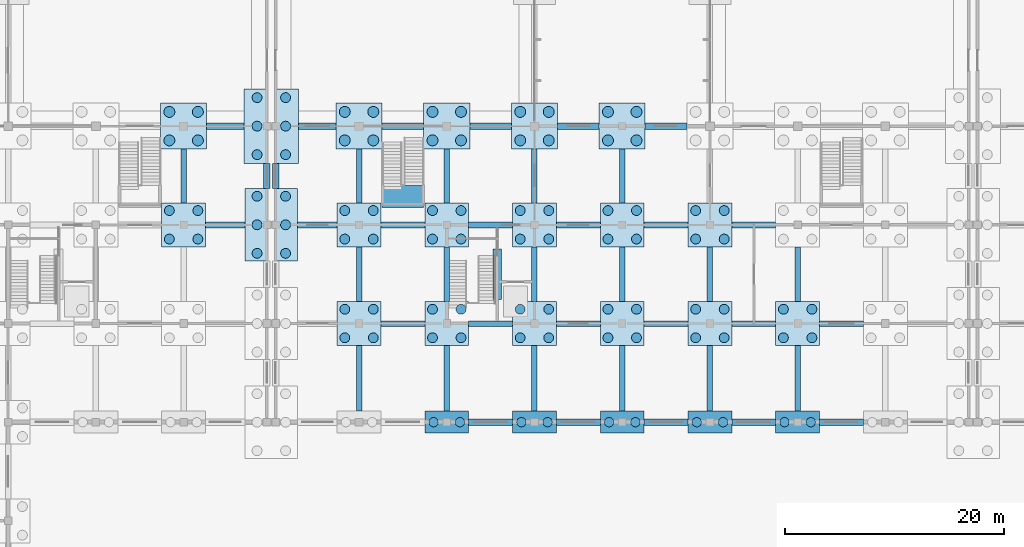
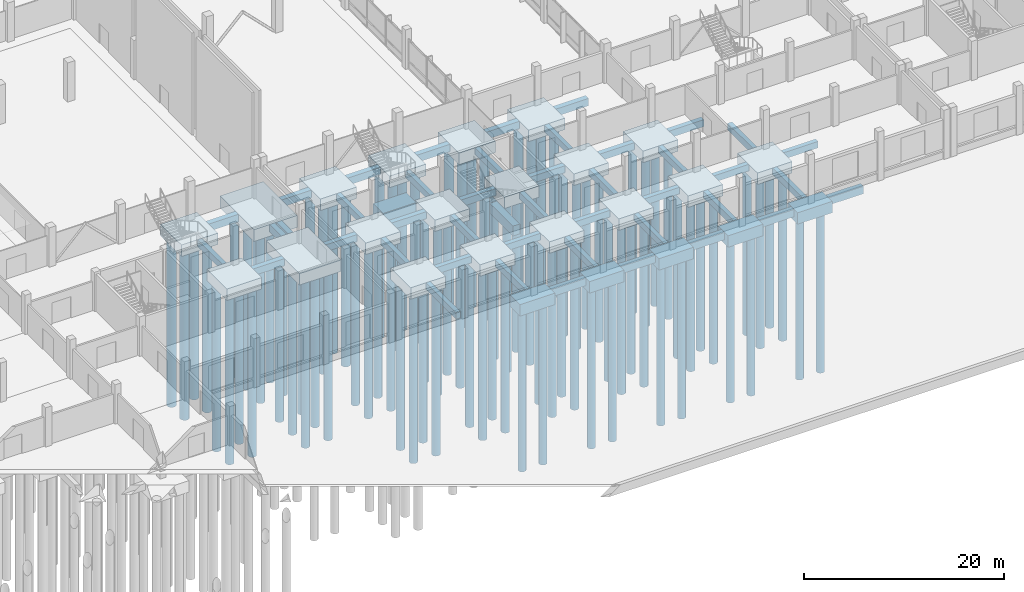
# One storey, part 3 of 72: 90 piles, 69 footings.
"""IFC4 building model written with IfcOpenShell, lengths in metres."""

from ifc_helpers import new_model, si_unit, direction, frame, origin, origin_2d, place, context, subcontext, project, spatial, rectangle, circle, extrude, material, material_profile, profile_set, type_object, element, save


model = new_model("IFC4")

# Units and contexts
model_context = context("Model", 3, precision=1e-05, world=origin(), true_north=direction((0.0, 1.0)))
body_context = subcontext(model_context, "Body", "Model", "MODEL_VIEW")
ifc_project = project(units=[si_unit("LENGTHUNIT", "METRE"), si_unit("AREAUNIT", "SQUARE_METRE"), si_unit("VOLUMEUNIT", "CUBIC_METRE"), si_unit("PLANEANGLEUNIT", "RADIAN"), si_unit("MASSUNIT", "GRAM", prefix="KILO"), si_unit("THERMODYNAMICTEMPERATUREUNIT", "KELVIN"), si_unit("POWERUNIT", "WATT")], contexts=[model_context])

# Site, building, storey
site_placement = place(None, origin())
site = spatial("IfcSite", under=ifc_project, at=site_placement, CompositionType="ELEMENT")
building_placement = place(site_placement, origin())
building = spatial("IfcBuilding", under=site, at=building_placement, Name="Kronsvod Quay Wholesale Market", CompositionType="ELEMENT")
storey_placement = place(building_placement, origin())
storey = spatial("IfcBuildingStorey", under=building, at=storey_placement, Name="L00", CompositionType="ELEMENT", Elevation=0.0)

# Footings
ifc_material_1 = material(Name="Concrete C35/45", Category="concrete")
footing_type_1 = type_object("IfcFootingType", Name="Cap_PC2B", PredefinedType="PILE_CAP", material=ifc_material_1)
for number, where, z_axis, x_axis, name in (
    (1, (80.0, 27.0, -2.64990234375), (0.0, 0.0, 1.0), (1.0, 0.0, 0.0), "CAP-127"),
    (2, (88.0, 27.0, -2.64990234375), (0.0, 0.0, 1.0), (1.0, 0.0, 0.0), "CAP-137"),
    (3, (96.0, 27.0, -2.64990234375), (0.0, 0.0, 1.0), (1.0, 0.0, 0.0), "CAP-148"),
    (4, (104.0, 27.0, -2.64990234375), (0.0, 0.0, 1.0), (1.0, 0.0, 0.0), "CAP-157"),
    (5, (112.0, 27.0, -2.64990234375), (0.0, 0.0, 1.0), (1.0, 0.0, 0.0), "CAP-168"),
):
    element("IfcFooting", number, at=place(storey_placement, frame(where, z_axis=z_axis, x_axis=x_axis)), inside=storey, type_object=footing_type_1, Name=name, PredefinedType="PILE_CAP", context=body_context, shape_type="SweptSolid", body=[
        extrude(rectangle(XDim=4.0, YDim=2.0, at=origin_2d()), origin(), (0.0, 0.0, 1.0), 1.39990234375),
    ])
ifc_material_2 = material(Name="Concrete C35/45", Category="concrete")
footing_type_2 = type_object("IfcFootingType", Name="Cap_PC4A", PredefinedType="PILE_CAP", material=ifc_material_2)
for number, where, z_axis, x_axis, name in (
    (6, (56.0, 45.0, -2.64990234375), (0.0, 0.0, 1.0), (1.0, 0.0, 0.0), "CAP-109"),
    (7, (72.0, 36.0, -2.64990234375), (0.0, 0.0, 1.0), (1.0, 0.0, 0.0), "CAP-118"),
    (8, (72.0, 45.0, -2.64990234375), (0.0, 0.0, 1.0), (1.0, 0.0, 0.0), "CAP-119"),
    (9, (80.0, 36.0, -2.64990234375), (0.0, 0.0, 1.0), (1.0, 0.0, 0.0), "CAP-128"),
    (10, (80.0, 45.0, -2.64990234375), (0.0, 0.0, 1.0), (1.0, 0.0, 0.0), "CAP-129"),
    (11, (88.0, 36.0, -2.64990234375), (0.0, 0.0, 1.0), (1.0, 0.0, 0.0), "CAP-138"),
    (12, (88.0, 45.0, -2.64990234375), (0.0, 0.0, 1.0), (1.0, 0.0, 0.0), "CAP-139"),
    (13, (96.0, 36.0, -2.64990234375), (0.0, 0.0, 1.0), (1.0, 0.0, 0.0), "CAP-149"),
    (14, (96.0, 45.0, -2.64990234375), (0.0, 0.0, 1.0), (1.0, 0.0, 0.0), "CAP-150"),
    (15, (104.0, 36.0, -2.64990234375), (0.0, 0.0, 1.0), (1.0, 0.0, 0.0), "CAP-158"),
    (16, (104.0, 45.0, -2.64990234375), (0.0, 0.0, 1.0), (1.0, 0.0, 0.0), "CAP-159"),
    (17, (112.0, 36.0, -2.64990234375), (0.0, 0.0, 1.0), (1.0, 0.0, 0.0), "CAP-169"),
):
    element("IfcFooting", number, at=place(storey_placement, frame(where, z_axis=z_axis, x_axis=x_axis)), inside=storey, type_object=footing_type_2, Name=name, PredefinedType="PILE_CAP", context=body_context, shape_type="SweptSolid", body=[
        extrude(rectangle(XDim=4.0, YDim=4.0, at=origin_2d()), origin(), (0.0, 0.0, 1.0), 1.39990234375),
    ])
ifc_material_3 = material(Name="Concrete C35/45", Category="concrete")
footing_type_3 = type_object("IfcFootingType", Name="Cap_PC4B", PredefinedType="PILE_CAP", material=ifc_material_3)
for number, where, z_axis, x_axis, name in (
    (18, (56.0, 54.0, -2.64990234375), (0.0, 0.0, 1.0), (1.0, 0.0, 0.0), "CAP-110"),
    (19, (72.0, 54.0, -2.64990234375), (0.0, 0.0, 1.0), (1.0, 0.0, 0.0), "CAP-120"),
    (20, (80.0, 54.0, -2.64990234375), (0.0, 0.0, 1.0), (1.0, 0.0, 0.0), "CAP-130"),
    (21, (88.0, 54.0, -2.64990234375), (0.0, 0.0, 1.0), (1.0, 0.0, 0.0), "CAP-140"),
    (22, (96.0, 54.0, -2.64990234375), (0.0, 0.0, 1.0), (1.0, 0.0, 0.0), "CAP-151"),
):
    element("IfcFooting", number, at=place(storey_placement, frame(where, z_axis=z_axis, x_axis=x_axis)), inside=storey, type_object=footing_type_3, Name=name, PredefinedType="PILE_CAP", context=body_context, shape_type="SweptSolid", body=[
        extrude(rectangle(XDim=4.199951171875, YDim=4.199951171875, at=origin_2d()), origin(), (0.0, 0.0, 1.0), 1.39990234375),
    ])
ifc_material_4 = material(Name="Concrete C35/45", Category="concrete")
footing_type_4 = type_object("IfcFootingType", Name="Cap_PC6H", PredefinedType="PILE_CAP", material=ifc_material_4)
footing_1_placement = place(storey_placement, frame((64.0, 54.0, -2.7001953125), z_axis=(0.0, 0.0, 1.0), x_axis=(1.0, 0.0, 0.0)))
element("IfcFooting", 23, at=footing_1_placement, inside=storey, type_object=footing_type_4, Name="CAP-J007", PredefinedType="PILE_CAP", context=body_context, shape_type="SweptSolid", body=[
    extrude(rectangle(XDim=5.0, YDim=6.800048828125, at=origin_2d()), origin(), (0.0, 0.0, 1.0), 1.449951171875),
])
ifc_material_5 = material(Name="Concrete C35/45", Category="concrete")
footing_type_5 = type_object("IfcFootingType", Name="Cap_PC6J", PredefinedType="PILE_CAP", material=ifc_material_5)
footing_2_placement = place(storey_placement, frame((64.0, 45.0, -2.64990234375), z_axis=(0.0, 0.0, 1.0), x_axis=(1.0, 0.0, 0.0)))
element("IfcFooting", 24, at=footing_2_placement, inside=storey, type_object=footing_type_5, Name="CAP-J005", PredefinedType="PILE_CAP", context=body_context, shape_type="SweptSolid", body=[
    extrude(rectangle(XDim=4.800048828125, YDim=6.60009765625, at=origin_2d()), origin(), (0.0, 0.0, 1.0), 1.39990234375),
])
ifc_material_6 = material(Name="Concrete C35/45", Category="concrete")
ifc_material_profile_1 = material_profile(ifc_material_6, rectangle(XDim=0.5, YDim=0.800048828125, at=origin_2d()), Name="FB-01")
ifc_profile_set_1 = profile_set([ifc_material_profile_1], Name="Concrete C35/45")
footing_type_6 = type_object("IfcFootingType", Name="FootingBeam_500x800", PredefinedType="FOOTING_BEAM", material=ifc_profile_set_1)
footing_3_placement = place(storey_placement, frame((56.0, 47.0, -1.64990234375), z_axis=(0.0, 1.0, 0.0), x_axis=(-1.0, 0.0, 0.0)))
element("IfcFooting", 25, at=footing_3_placement, inside=storey, type_object=footing_type_6, Name="FB-Y-0175", PredefinedType="FOOTING_BEAM", context=body_context, shape_type="SweptSolid", body=[
    extrude(rectangle(XDim=0.5, YDim=0.800048828125, at=origin_2d()), origin(), (0.0, 0.0, 1.0), 4.89990234375),
])
for number, where, z_axis, x_axis, name in (
    (26, (74.0, 36.0, -1.64990234375), (1.0, 0.0, 0.0), (0.0, 1.0, 0.0), "FB-X-0198"),
    (27, (82.0, 36.0, -1.64990234375), (1.0, 0.0, 0.0), (0.0, 1.0, 0.0), "FB-X-0199"),
    (28, (90.0, 36.0, -1.64990234375), (1.0, 0.0, 0.0), (0.0, 1.0, 0.0), "FB-X-0200"),
    (29, (98.0, 36.0, -1.64990234375), (1.0, 0.0, 0.0), (0.0, 1.0, 0.0), "FB-X-0201"),
    (30, (106.0, 36.0, -1.64990234375), (1.0, 0.0, 0.0), (0.0, 1.0, 0.0), "FB-X-0202"),
    (31, (114.0, 36.0, -1.64990234375), (1.0, 0.0, 0.0), (0.0, 1.0, 0.0), "FB-X-0203"),
):
    element("IfcFooting", number, at=place(storey_placement, frame(where, z_axis=z_axis, x_axis=x_axis)), inside=storey, type_object=footing_type_6, Name=name, PredefinedType="FOOTING_BEAM", context=body_context, shape_type="SweptSolid", body=[
        extrude(rectangle(XDim=0.5, YDim=0.800048828125, at=origin_2d()), origin(), (0.0, 0.0, 1.0), 4.0),
    ])
footing_4_placement = place(storey_placement, frame((72.0, 28.0, -1.64990234375), z_axis=(0.0, 1.0, 0.0), x_axis=(-1.0, 0.0, 0.0)))
element("IfcFooting", 32, at=footing_4_placement, inside=storey, type_object=footing_type_6, Name="FB-Y-0275", PredefinedType="FOOTING_BEAM", context=body_context, shape_type="SweptSolid", body=[
    extrude(rectangle(XDim=0.5, YDim=0.800048828125, at=origin_2d()), origin(), (0.0, 0.0, 1.0), 6.0),
])
footing_5_placement = place(storey_placement, frame((72.0, 38.0, -1.64990234375), z_axis=(0.0, 1.0, 0.0), x_axis=(-1.0, 0.0, 0.0)))
element("IfcFooting", 33, at=footing_5_placement, inside=storey, type_object=footing_type_6, Name="FB-Y-0276", PredefinedType="FOOTING_BEAM", context=body_context, shape_type="SweptSolid", body=[
    extrude(rectangle(XDim=0.5, YDim=0.800048828125, at=origin_2d()), origin(), (0.0, 0.0, 1.0), 5.0),
])
footing_6_placement = place(storey_placement, frame((72.0, 47.0, -1.64990234375), z_axis=(0.0, 1.0, 0.0), x_axis=(-1.0, 0.0, 0.0)))
element("IfcFooting", 34, at=footing_6_placement, inside=storey, type_object=footing_type_6, Name="FB-Y-0277", PredefinedType="FOOTING_BEAM", context=body_context, shape_type="SweptSolid", body=[
    extrude(rectangle(XDim=0.5, YDim=0.800048828125, at=origin_2d()), origin(), (0.0, 0.0, 1.0), 4.89990234375),
])
footing_7_placement = place(storey_placement, frame((80.0, 28.0, -1.64990234375), z_axis=(0.0, 1.0, 0.0), x_axis=(-1.0, 0.0, 0.0)))
element("IfcFooting", 35, at=footing_7_placement, inside=storey, type_object=footing_type_6, Name="FB-Y-0283", PredefinedType="FOOTING_BEAM", context=body_context, shape_type="SweptSolid", body=[
    extrude(rectangle(XDim=0.5, YDim=0.800048828125, at=origin_2d()), origin(), (0.0, 0.0, 1.0), 6.0),
])
footing_8_placement = place(storey_placement, frame((80.0, 38.0, -1.64990234375), z_axis=(0.0, 1.0, 0.0), x_axis=(-1.0, 0.0, 0.0)))
element("IfcFooting", 36, at=footing_8_placement, inside=storey, type_object=footing_type_6, Name="FB-Y-0284", PredefinedType="FOOTING_BEAM", context=body_context, shape_type="SweptSolid", body=[
    extrude(rectangle(XDim=0.5, YDim=0.800048828125, at=origin_2d()), origin(), (0.0, 0.0, 1.0), 5.0),
])
footing_9_placement = place(storey_placement, frame((80.0, 47.0, -1.64990234375), z_axis=(0.0, 1.0, 0.0), x_axis=(-1.0, 0.0, 0.0)))
element("IfcFooting", 37, at=footing_9_placement, inside=storey, type_object=footing_type_6, Name="FB-Y-0285", PredefinedType="FOOTING_BEAM", context=body_context, shape_type="SweptSolid", body=[
    extrude(rectangle(XDim=0.5, YDim=0.800048828125, at=origin_2d()), origin(), (0.0, 0.0, 1.0), 4.89990234375),
])
footing_10_placement = place(storey_placement, frame((88.0, 28.0, -1.64990234375), z_axis=(0.0, 1.0, 0.0), x_axis=(-1.0, 0.0, 0.0)))
element("IfcFooting", 38, at=footing_10_placement, inside=storey, type_object=footing_type_6, Name="FB-Y-0291", PredefinedType="FOOTING_BEAM", context=body_context, shape_type="SweptSolid", body=[
    extrude(rectangle(XDim=0.5, YDim=0.800048828125, at=origin_2d()), origin(), (0.0, 0.0, 1.0), 6.0),
])
footing_11_placement = place(storey_placement, frame((88.0, 38.0, -1.64990234375), z_axis=(0.0, 1.0, 0.0), x_axis=(-1.0, 0.0, 0.0)))
element("IfcFooting", 39, at=footing_11_placement, inside=storey, type_object=footing_type_6, Name="FB-Y-0292", PredefinedType="FOOTING_BEAM", context=body_context, shape_type="SweptSolid", body=[
    extrude(rectangle(XDim=0.5, YDim=0.800048828125, at=origin_2d()), origin(), (0.0, 0.0, 1.0), 5.0),
])
footing_12_placement = place(storey_placement, frame((88.0, 47.0, -1.64990234375), z_axis=(0.0, 1.0, 0.0), x_axis=(-1.0, 0.0, 0.0)))
element("IfcFooting", 40, at=footing_12_placement, inside=storey, type_object=footing_type_6, Name="FB-Y-0293", PredefinedType="FOOTING_BEAM", context=body_context, shape_type="SweptSolid", body=[
    extrude(rectangle(XDim=0.5, YDim=0.800048828125, at=origin_2d()), origin(), (0.0, 0.0, 1.0), 4.89990234375),
])
footing_13_placement = place(storey_placement, frame((96.0, 28.0, -1.64990234375), z_axis=(0.0, 1.0, 0.0), x_axis=(-1.0, 0.0, 0.0)))
element("IfcFooting", 41, at=footing_13_placement, inside=storey, type_object=footing_type_6, Name="FB-Y-0301", PredefinedType="FOOTING_BEAM", context=body_context, shape_type="SweptSolid", body=[
    extrude(rectangle(XDim=0.5, YDim=0.800048828125, at=origin_2d()), origin(), (0.0, 0.0, 1.0), 6.0),
])
footing_14_placement = place(storey_placement, frame((96.0, 38.0, -1.64990234375), z_axis=(0.0, 1.0, 0.0), x_axis=(-1.0, 0.0, 0.0)))
element("IfcFooting", 42, at=footing_14_placement, inside=storey, type_object=footing_type_6, Name="FB-Y-0302", PredefinedType="FOOTING_BEAM", context=body_context, shape_type="SweptSolid", body=[
    extrude(rectangle(XDim=0.5, YDim=0.800048828125, at=origin_2d()), origin(), (0.0, 0.0, 1.0), 5.0),
])
footing_15_placement = place(storey_placement, frame((96.0, 47.0, -1.64990234375), z_axis=(0.0, 1.0, 0.0), x_axis=(-1.0, 0.0, 0.0)))
element("IfcFooting", 43, at=footing_15_placement, inside=storey, type_object=footing_type_6, Name="FB-Y-0303", PredefinedType="FOOTING_BEAM", context=body_context, shape_type="SweptSolid", body=[
    extrude(rectangle(XDim=0.5, YDim=0.800048828125, at=origin_2d()), origin(), (0.0, 0.0, 1.0), 4.89990234375),
])
footing_16_placement = place(storey_placement, frame((104.0, 28.0, -1.64990234375), z_axis=(0.0, 1.0, 0.0), x_axis=(-1.0, 0.0, 0.0)))
element("IfcFooting", 44, at=footing_16_placement, inside=storey, type_object=footing_type_6, Name="FB-Y-0308", PredefinedType="FOOTING_BEAM", context=body_context, shape_type="SweptSolid", body=[
    extrude(rectangle(XDim=0.5, YDim=0.800048828125, at=origin_2d()), origin(), (0.0, 0.0, 1.0), 6.0),
])
footing_17_placement = place(storey_placement, frame((104.0, 38.0, -1.64990234375), z_axis=(0.0, 1.0, 0.0), x_axis=(-1.0, 0.0, 0.0)))
element("IfcFooting", 45, at=footing_17_placement, inside=storey, type_object=footing_type_6, Name="FB-Y-0309", PredefinedType="FOOTING_BEAM", context=body_context, shape_type="SweptSolid", body=[
    extrude(rectangle(XDim=0.5, YDim=0.800048828125, at=origin_2d()), origin(), (0.0, 0.0, 1.0), 5.0),
])
footing_18_placement = place(storey_placement, frame((112.0, 28.0, -1.64990234375), z_axis=(0.0, 1.0, 0.0), x_axis=(-1.0, 0.0, 0.0)))
element("IfcFooting", 46, at=footing_18_placement, inside=storey, type_object=footing_type_6, Name="FB-Y-0318", PredefinedType="FOOTING_BEAM", context=body_context, shape_type="SweptSolid", body=[
    extrude(rectangle(XDim=0.5, YDim=0.800048828125, at=origin_2d()), origin(), (0.0, 0.0, 1.0), 6.0),
])
footing_19_placement = place(storey_placement, frame((112.0, 38.0, -1.64990234375), z_axis=(0.0, 1.0, 0.0), x_axis=(-1.0, 0.0, 0.0)))
element("IfcFooting", 47, at=footing_19_placement, inside=storey, type_object=footing_type_6, Name="FB-Y-0319", PredefinedType="FOOTING_BEAM", context=body_context, shape_type="SweptSolid", body=[
    extrude(rectangle(XDim=0.5, YDim=0.800048828125, at=origin_2d()), origin(), (0.0, 0.0, 1.0), 5.0),
])
ifc_material_7 = material(Name="Concrete C35/45", Category="concrete")
ifc_material_profile_2 = material_profile(ifc_material_7, rectangle(XDim=0.550048828125, YDim=0.85009765625, at=origin_2d()), Name="FB-03")
ifc_profile_set_2 = profile_set([ifc_material_profile_2], Name="Concrete C35/45")
footing_type_7 = type_object("IfcFootingType", Name="FootingBeam_550x850", PredefinedType="FOOTING_BEAM", material=ifc_profile_set_2)
for number, where, z_axis, x_axis, name in (
    (48, (58.0, 45.0, -1.675048828125), (1.0, 0.0, 0.0), (0.0, 1.0, 0.0), "FB-X-0039"),
    (49, (66.39990234375, 45.0, -1.675048828125), (1.0, 0.0, 0.0), (0.0, 1.0, 0.0), "FB-X-0205"),
):
    element("IfcFooting", number, at=place(storey_placement, frame(where, z_axis=z_axis, x_axis=x_axis)), inside=storey, type_object=footing_type_7, Name=name, PredefinedType="FOOTING_BEAM", context=body_context, shape_type="SweptSolid", body=[
        extrude(rectangle(XDim=0.550048828125, YDim=0.85009765625, at=origin_2d()), origin(), (0.0, 0.0, 1.0), 3.60009765625),
    ])
for number, where, z_axis, x_axis, name in (
    (50, (74.0, 45.0, -1.675048828125), (1.0, 0.0, 0.0), (0.0, 1.0, 0.0), "FB-X-0206"),
    (51, (82.0, 45.0, -1.675048828125), (1.0, 0.0, 0.0), (0.0, 1.0, 0.0), "FB-X-0207"),
    (52, (90.0, 45.0, -1.675048828125), (1.0, 0.0, 0.0), (0.0, 1.0, 0.0), "FB-X-0208"),
    (53, (98.0, 45.0, -1.675048828125), (1.0, 0.0, 0.0), (0.0, 1.0, 0.0), "FB-X-0209"),
    (54, (106.0, 45.0, -1.675048828125), (1.0, 0.0, 0.0), (0.0, 1.0, 0.0), "FB-X-0210"),
):
    element("IfcFooting", number, at=place(storey_placement, frame(where, z_axis=z_axis, x_axis=x_axis)), inside=storey, type_object=footing_type_7, Name=name, PredefinedType="FOOTING_BEAM", context=body_context, shape_type="SweptSolid", body=[
        extrude(rectangle(XDim=0.550048828125, YDim=0.85009765625, at=origin_2d()), origin(), (0.0, 0.0, 1.0), 4.0),
    ])
ifc_material_8 = material(Name="Concrete C35/45", Category="concrete")
ifc_material_profile_3 = material_profile(ifc_material_8, rectangle(XDim=0.60009765625, YDim=0.89990234375, at=origin_2d()), Name="FB-02")
ifc_profile_set_3 = profile_set([ifc_material_profile_3], Name="Concrete C35/45")
footing_type_8 = type_object("IfcFootingType", Name="FootingBeam_600x900", PredefinedType="FOOTING_BEAM", material=ifc_profile_set_3)
footing_20_placement = place(storey_placement, frame((58.10009765625, 54.0, -1.699951171875), z_axis=(1.0, 0.0, 0.0), x_axis=(0.0, 1.0, 0.0)))
element("IfcFooting", 55, at=footing_20_placement, inside=storey, type_object=footing_type_8, Name="FB-X-0047", PredefinedType="FOOTING_BEAM", context=body_context, shape_type="SweptSolid", body=[
    extrude(rectangle(XDim=0.60009765625, YDim=0.89990234375, at=origin_2d()), origin(), (0.0, 0.0, 1.0), 3.39990234375),
])
footing_21_placement = place(storey_placement, frame((63.60009765625, 48.300048828125, -1.699951171875), z_axis=(0.0, 1.0, 0.0), x_axis=(-1.0, 0.0, 0.0)))
element("IfcFooting", 56, at=footing_21_placement, inside=storey, type_object=footing_type_8, Name="FB-Y-0183", PredefinedType="FOOTING_BEAM", context=body_context, shape_type="SweptSolid", body=[
    extrude(rectangle(XDim=0.60009765625, YDim=0.89990234375, at=origin_2d()), origin(), (0.0, 0.0, 1.0), 2.300048828125),
])
for number, where, z_axis, x_axis, name in (
    (57, (82.0, 27.0, -1.699951171875), (1.0, 0.0, 0.0), (0.0, 1.0, 0.0), "FB-X-0191"),
    (58, (90.0, 27.0, -1.699951171875), (1.0, 0.0, 0.0), (0.0, 1.0, 0.0), "FB-X-0192"),
    (59, (98.0, 27.0, -1.699951171875), (1.0, 0.0, 0.0), (0.0, 1.0, 0.0), "FB-X-0193"),
    (60, (106.0, 27.0, -1.699951171875), (1.0, 0.0, 0.0), (0.0, 1.0, 0.0), "FB-X-0194"),
    (61, (114.0, 27.0, -1.699951171875), (1.0, 0.0, 0.0), (0.0, 1.0, 0.0), "FB-X-0195"),
):
    element("IfcFooting", number, at=place(storey_placement, frame(where, z_axis=z_axis, x_axis=x_axis)), inside=storey, type_object=footing_type_8, Name=name, PredefinedType="FOOTING_BEAM", context=body_context, shape_type="SweptSolid", body=[
        extrude(rectangle(XDim=0.60009765625, YDim=0.89990234375, at=origin_2d()), origin(), (0.0, 0.0, 1.0), 4.0),
    ])
footing_22_placement = place(storey_placement, frame((66.5, 54.0, -1.699951171875), z_axis=(1.0, 0.0, 0.0), x_axis=(0.0, 1.0, 0.0)))
element("IfcFooting", 62, at=footing_22_placement, inside=storey, type_object=footing_type_8, Name="FB-X-0213", PredefinedType="FOOTING_BEAM", context=body_context, shape_type="SweptSolid", body=[
    extrude(rectangle(XDim=0.60009765625, YDim=0.89990234375, at=origin_2d()), origin(), (0.0, 0.0, 1.0), 3.39990234375),
])
for number, where, z_axis, x_axis, name in (
    (63, (74.10009765625, 54.0, -1.699951171875), (1.0, 0.0, 0.0), (0.0, 1.0, 0.0), "FB-X-0214"),
    (64, (82.10009765625, 54.0, -1.699951171875), (1.0, 0.0, 0.0), (0.0, 1.0, 0.0), "FB-X-0215"),
    (65, (90.10009765625, 54.0, -1.699951171875), (1.0, 0.0, 0.0), (0.0, 1.0, 0.0), "FB-X-0216"),
    (66, (98.10009765625, 54.0, -1.699951171875), (1.0, 0.0, 0.0), (0.0, 1.0, 0.0), "FB-X-0217"),
):
    element("IfcFooting", number, at=place(storey_placement, frame(where, z_axis=z_axis, x_axis=x_axis)), inside=storey, type_object=footing_type_8, Name=name, PredefinedType="FOOTING_BEAM", context=body_context, shape_type="SweptSolid", body=[
        extrude(rectangle(XDim=0.60009765625, YDim=0.89990234375, at=origin_2d()), origin(), (0.0, 0.0, 1.0), 3.7998046875),
    ])
footing_23_placement = place(storey_placement, frame((64.39990234375, 48.300048828125, -1.699951171875), z_axis=(0.0, 1.0, 0.0), x_axis=(-1.0, 0.0, 0.0)))
element("IfcFooting", 67, at=footing_23_placement, inside=storey, type_object=footing_type_8, Name="FB-Y-0269", PredefinedType="FOOTING_BEAM", context=body_context, shape_type="SweptSolid", body=[
    extrude(rectangle(XDim=0.60009765625, YDim=0.89990234375, at=origin_2d()), origin(), (0.0, 0.0, 1.0), 2.300048828125),
])
ifc_material_9 = material(Name="Concrete C35/45", Category="concrete")
footing_type_9 = type_object("IfcFootingType", Name="Pad_PF2", PredefinedType="PAD_FOOTING", material=ifc_material_9)
footing_24_placement = place(storey_placement, frame((76.0, 47.60009765625, -2.7001953125), z_axis=(0.0, 0.0, 1.0), x_axis=(1.0, 0.0, 0.0)))
element("IfcFooting", 68, at=footing_24_placement, inside=storey, type_object=footing_type_9, Name="ST-GAL-W2-FND", PredefinedType="PAD_FOOTING", context=body_context, shape_type="SweptSolid", body=[
    extrude(rectangle(XDim=3.800048828125, YDim=2.0, at=origin_2d()), origin(), (0.0, 0.0, 1.0), 1.449951171875),
])

# Piles
ifc_material_10 = material(Name="Concrete C35/45", Category="concrete")
ifc_material_profile_4 = material_profile(ifc_material_10, circle(Radius=0.5, at=origin_2d()), Name="PILE1000")
ifc_profile_set_4 = profile_set([ifc_material_profile_4], Name="Concrete C35/45")
pile_type_1 = type_object("IfcPileType", Name="Pile_PILE1000", PredefinedType="BORED", material=ifc_profile_set_4)
for number, where, z_axis, x_axis, name in (
    (69, (54.699951171875, 52.699951171875, -2.64990234375), (0.0, 0.0, -1.0), (1.0, 0.0, 0.0), "PILE-0443"),
    (70, (54.699951171875, 55.300048828125, -2.64990234375), (0.0, 0.0, -1.0), (1.0, 0.0, 0.0), "PILE-0444"),
    (71, (57.300048828125, 52.699951171875, -2.64990234375), (0.0, 0.0, -1.0), (1.0, 0.0, 0.0), "PILE-0445"),
    (72, (57.300048828125, 55.300048828125, -2.64990234375), (0.0, 0.0, -1.0), (1.0, 0.0, 0.0), "PILE-0446"),
    (73, (70.699951171875, 52.699951171875, -2.64990234375), (0.0, 0.0, -1.0), (1.0, 0.0, 0.0), "PILE-0481"),
    (74, (70.699951171875, 55.300048828125, -2.64990234375), (0.0, 0.0, -1.0), (1.0, 0.0, 0.0), "PILE-0482"),
    (75, (73.300048828125, 52.699951171875, -2.64990234375), (0.0, 0.0, -1.0), (1.0, 0.0, 0.0), "PILE-0483"),
    (76, (73.300048828125, 55.300048828125, -2.64990234375), (0.0, 0.0, -1.0), (1.0, 0.0, 0.0), "PILE-0484"),
    (77, (78.699951171875, 52.699951171875, -2.64990234375), (0.0, 0.0, -1.0), (1.0, 0.0, 0.0), "PILE-0519"),
    (78, (78.699951171875, 55.300048828125, -2.64990234375), (0.0, 0.0, -1.0), (1.0, 0.0, 0.0), "PILE-0520"),
    (79, (81.300048828125, 52.699951171875, -2.64990234375), (0.0, 0.0, -1.0), (1.0, 0.0, 0.0), "PILE-0521"),
    (80, (81.300048828125, 55.300048828125, -2.64990234375), (0.0, 0.0, -1.0), (1.0, 0.0, 0.0), "PILE-0522"),
    (81, (86.699951171875, 52.699951171875, -2.64990234375), (0.0, 0.0, -1.0), (1.0, 0.0, 0.0), "PILE-0557"),
    (82, (86.699951171875, 55.300048828125, -2.64990234375), (0.0, 0.0, -1.0), (1.0, 0.0, 0.0), "PILE-0558"),
    (83, (89.300048828125, 52.699951171875, -2.64990234375), (0.0, 0.0, -1.0), (1.0, 0.0, 0.0), "PILE-0559"),
    (84, (89.300048828125, 55.300048828125, -2.64990234375), (0.0, 0.0, -1.0), (1.0, 0.0, 0.0), "PILE-0560"),
    (85, (94.699951171875, 52.699951171875, -2.64990234375), (0.0, 0.0, -1.0), (1.0, 0.0, 0.0), "PILE-0597"),
    (86, (94.699951171875, 55.300048828125, -2.64990234375), (0.0, 0.0, -1.0), (1.0, 0.0, 0.0), "PILE-0598"),
    (87, (97.300048828125, 52.699951171875, -2.64990234375), (0.0, 0.0, -1.0), (1.0, 0.0, 0.0), "PILE-0599"),
    (88, (97.300048828125, 55.300048828125, -2.64990234375), (0.0, 0.0, -1.0), (1.0, 0.0, 0.0), "PILE-0600"),
):
    element("IfcPile", number, at=place(storey_placement, frame(where, z_axis=z_axis, x_axis=x_axis)), inside=storey, type_object=pile_type_1, Name=name, PredefinedType="BORED", context=body_context, shape_type="SweptSolid", body=[
        extrude(circle(Radius=0.5, at=origin_2d()), origin(), (0.0, 0.0, 1.0), 20.39990234375),
    ])
ifc_material_11 = material(Name="Concrete C35/45", Category="concrete")
ifc_material_profile_5 = material_profile(ifc_material_11, circle(Radius=0.425048828125, at=origin_2d()), Name="PILE850")
ifc_profile_set_5 = profile_set([ifc_material_profile_5], Name="Concrete C35/45")
pile_type_2 = type_object("IfcPileType", Name="Pile_PILE850", PredefinedType="BORED", material=ifc_profile_set_5)
for number, where, z_axis, x_axis, name in (
    (89, (78.800048828125, 27.0, -2.64990234375), (0.0, 0.0, -1.0), (1.0, 0.0, 0.0), "PILE-0509"),
    (90, (81.199951171875, 27.0, -2.64990234375), (0.0, 0.0, -1.0), (1.0, 0.0, 0.0), "PILE-0510"),
    (91, (86.800048828125, 27.0, -2.64990234375), (0.0, 0.0, -1.0), (1.0, 0.0, 0.0), "PILE-0547"),
    (92, (89.199951171875, 27.0, -2.64990234375), (0.0, 0.0, -1.0), (1.0, 0.0, 0.0), "PILE-0548"),
    (93, (94.800048828125, 27.0, -2.64990234375), (0.0, 0.0, -1.0), (1.0, 0.0, 0.0), "PILE-0587"),
    (94, (97.199951171875, 27.0, -2.64990234375), (0.0, 0.0, -1.0), (1.0, 0.0, 0.0), "PILE-0588"),
    (95, (102.800048828125, 27.0, -2.64990234375), (0.0, 0.0, -1.0), (1.0, 0.0, 0.0), "PILE-0621"),
    (96, (105.199951171875, 27.0, -2.64990234375), (0.0, 0.0, -1.0), (1.0, 0.0, 0.0), "PILE-0622"),
    (97, (110.800048828125, 27.0, -2.64990234375), (0.0, 0.0, -1.0), (1.0, 0.0, 0.0), "PILE-0661"),
    (98, (113.199951171875, 27.0, -2.64990234375), (0.0, 0.0, -1.0), (1.0, 0.0, 0.0), "PILE-0662"),
):
    element("IfcPile", number, at=place(storey_placement, frame(where, z_axis=z_axis, x_axis=x_axis)), inside=storey, type_object=pile_type_2, Name=name, PredefinedType="BORED", context=body_context, shape_type="SweptSolid", body=[
        extrude(circle(Radius=0.425048828125, at=origin_2d()), origin(), (0.0, 0.0, 1.0), 19.60009765625),
    ])
ifc_material_12 = material(Name="Concrete C35/45", Category="concrete")
ifc_material_profile_6 = material_profile(ifc_material_12, circle(Radius=0.449951171875, at=origin_2d()), Name="PILE900")
ifc_profile_set_6 = profile_set([ifc_material_profile_6], Name="Concrete C35/45")
pile_type_3 = type_object("IfcPileType", Name="Pile_PILE900", PredefinedType="BORED", material=ifc_profile_set_6)
for number, where, z_axis, x_axis, name in (
    (99, (62.699951171875, 42.39990234375, -2.64990234375), (0.0, 0.0, -1.0), (1.0, 0.0, 0.0), "PILE-0025"),
    (100, (62.699951171875, 45.0, -2.64990234375), (0.0, 0.0, -1.0), (1.0, 0.0, 0.0), "PILE-0026"),
    (101, (62.699951171875, 47.60009765625, -2.64990234375), (0.0, 0.0, -1.0), (1.0, 0.0, 0.0), "PILE-0027"),
    (102, (65.300048828125, 42.39990234375, -2.64990234375), (0.0, 0.0, -1.0), (1.0, 0.0, 0.0), "PILE-0028"),
    (103, (65.300048828125, 45.0, -2.64990234375), (0.0, 0.0, -1.0), (1.0, 0.0, 0.0), "PILE-0029"),
    (104, (65.300048828125, 47.60009765625, -2.64990234375), (0.0, 0.0, -1.0), (1.0, 0.0, 0.0), "PILE-0030"),
    (105, (62.699951171875, 51.39990234375, -2.64990234375), (0.0, 0.0, -1.0), (1.0, 0.0, 0.0), "PILE-0037"),
    (106, (62.699951171875, 54.0, -2.64990234375), (0.0, 0.0, -1.0), (1.0, 0.0, 0.0), "PILE-0038"),
    (107, (62.699951171875, 56.60009765625, -2.64990234375), (0.0, 0.0, -1.0), (1.0, 0.0, 0.0), "PILE-0039"),
    (108, (65.300048828125, 51.39990234375, -2.64990234375), (0.0, 0.0, -1.0), (1.0, 0.0, 0.0), "PILE-0040"),
    (109, (65.300048828125, 54.0, -2.64990234375), (0.0, 0.0, -1.0), (1.0, 0.0, 0.0), "PILE-0041"),
    (110, (65.300048828125, 56.60009765625, -2.64990234375), (0.0, 0.0, -1.0), (1.0, 0.0, 0.0), "PILE-0042"),
    (111, (54.699951171875, 43.699951171875, -2.64990234375), (0.0, 0.0, -1.0), (1.0, 0.0, 0.0), "PILE-0439"),
    (112, (54.699951171875, 46.300048828125, -2.64990234375), (0.0, 0.0, -1.0), (1.0, 0.0, 0.0), "PILE-0440"),
    (113, (57.300048828125, 43.699951171875, -2.64990234375), (0.0, 0.0, -1.0), (1.0, 0.0, 0.0), "PILE-0441"),
    (114, (57.300048828125, 46.300048828125, -2.64990234375), (0.0, 0.0, -1.0), (1.0, 0.0, 0.0), "PILE-0442"),
    (115, (70.699951171875, 34.699951171875, -2.64990234375), (0.0, 0.0, -1.0), (1.0, 0.0, 0.0), "PILE-0473"),
    (116, (70.699951171875, 37.300048828125, -2.64990234375), (0.0, 0.0, -1.0), (1.0, 0.0, 0.0), "PILE-0474"),
    (117, (73.300048828125, 34.699951171875, -2.64990234375), (0.0, 0.0, -1.0), (1.0, 0.0, 0.0), "PILE-0475"),
    (118, (73.300048828125, 37.300048828125, -2.64990234375), (0.0, 0.0, -1.0), (1.0, 0.0, 0.0), "PILE-0476"),
    (119, (70.699951171875, 43.699951171875, -2.64990234375), (0.0, 0.0, -1.0), (1.0, 0.0, 0.0), "PILE-0477"),
    (120, (70.699951171875, 46.300048828125, -2.64990234375), (0.0, 0.0, -1.0), (1.0, 0.0, 0.0), "PILE-0478"),
    (121, (73.300048828125, 43.699951171875, -2.64990234375), (0.0, 0.0, -1.0), (1.0, 0.0, 0.0), "PILE-0479"),
    (122, (73.300048828125, 46.300048828125, -2.64990234375), (0.0, 0.0, -1.0), (1.0, 0.0, 0.0), "PILE-0480"),
    (123, (78.699951171875, 34.699951171875, -2.64990234375), (0.0, 0.0, -1.0), (1.0, 0.0, 0.0), "PILE-0511"),
    (124, (78.699951171875, 37.300048828125, -2.64990234375), (0.0, 0.0, -1.0), (1.0, 0.0, 0.0), "PILE-0512"),
    (125, (81.300048828125, 34.699951171875, -2.64990234375), (0.0, 0.0, -1.0), (1.0, 0.0, 0.0), "PILE-0513"),
    (126, (81.300048828125, 37.300048828125, -2.64990234375), (0.0, 0.0, -1.0), (1.0, 0.0, 0.0), "PILE-0514"),
    (127, (78.699951171875, 43.699951171875, -2.64990234375), (0.0, 0.0, -1.0), (1.0, 0.0, 0.0), "PILE-0515"),
    (128, (78.699951171875, 46.300048828125, -2.64990234375), (0.0, 0.0, -1.0), (1.0, 0.0, 0.0), "PILE-0516"),
    (129, (81.300048828125, 43.699951171875, -2.64990234375), (0.0, 0.0, -1.0), (1.0, 0.0, 0.0), "PILE-0517"),
    (130, (81.300048828125, 46.300048828125, -2.64990234375), (0.0, 0.0, -1.0), (1.0, 0.0, 0.0), "PILE-0518"),
    (131, (86.699951171875, 34.699951171875, -2.64990234375), (0.0, 0.0, -1.0), (1.0, 0.0, 0.0), "PILE-0549"),
    (132, (86.699951171875, 37.300048828125, -2.64990234375), (0.0, 0.0, -1.0), (1.0, 0.0, 0.0), "PILE-0550"),
    (133, (89.300048828125, 34.699951171875, -2.64990234375), (0.0, 0.0, -1.0), (1.0, 0.0, 0.0), "PILE-0551"),
    (134, (89.300048828125, 37.300048828125, -2.64990234375), (0.0, 0.0, -1.0), (1.0, 0.0, 0.0), "PILE-0552"),
    (135, (86.699951171875, 43.699951171875, -2.64990234375), (0.0, 0.0, -1.0), (1.0, 0.0, 0.0), "PILE-0553"),
    (136, (86.699951171875, 46.300048828125, -2.64990234375), (0.0, 0.0, -1.0), (1.0, 0.0, 0.0), "PILE-0554"),
    (137, (89.300048828125, 43.699951171875, -2.64990234375), (0.0, 0.0, -1.0), (1.0, 0.0, 0.0), "PILE-0555"),
    (138, (89.300048828125, 46.300048828125, -2.64990234375), (0.0, 0.0, -1.0), (1.0, 0.0, 0.0), "PILE-0556"),
    (139, (94.699951171875, 34.699951171875, -2.64990234375), (0.0, 0.0, -1.0), (1.0, 0.0, 0.0), "PILE-0589"),
    (140, (94.699951171875, 37.300048828125, -2.64990234375), (0.0, 0.0, -1.0), (1.0, 0.0, 0.0), "PILE-0590"),
    (141, (97.300048828125, 34.699951171875, -2.64990234375), (0.0, 0.0, -1.0), (1.0, 0.0, 0.0), "PILE-0591"),
    (142, (97.300048828125, 37.300048828125, -2.64990234375), (0.0, 0.0, -1.0), (1.0, 0.0, 0.0), "PILE-0592"),
    (143, (94.699951171875, 43.699951171875, -2.64990234375), (0.0, 0.0, -1.0), (1.0, 0.0, 0.0), "PILE-0593"),
    (144, (94.699951171875, 46.300048828125, -2.64990234375), (0.0, 0.0, -1.0), (1.0, 0.0, 0.0), "PILE-0594"),
    (145, (97.300048828125, 43.699951171875, -2.64990234375), (0.0, 0.0, -1.0), (1.0, 0.0, 0.0), "PILE-0595"),
    (146, (97.300048828125, 46.300048828125, -2.64990234375), (0.0, 0.0, -1.0), (1.0, 0.0, 0.0), "PILE-0596"),
    (147, (102.699951171875, 34.699951171875, -2.64990234375), (0.0, 0.0, -1.0), (1.0, 0.0, 0.0), "PILE-0623"),
    (148, (102.699951171875, 37.300048828125, -2.64990234375), (0.0, 0.0, -1.0), (1.0, 0.0, 0.0), "PILE-0624"),
    (149, (105.300048828125, 34.699951171875, -2.64990234375), (0.0, 0.0, -1.0), (1.0, 0.0, 0.0), "PILE-0625"),
    (150, (105.300048828125, 37.300048828125, -2.64990234375), (0.0, 0.0, -1.0), (1.0, 0.0, 0.0), "PILE-0626"),
    (151, (102.699951171875, 43.699951171875, -2.64990234375), (0.0, 0.0, -1.0), (1.0, 0.0, 0.0), "PILE-0627"),
    (152, (102.699951171875, 46.300048828125, -2.64990234375), (0.0, 0.0, -1.0), (1.0, 0.0, 0.0), "PILE-0628"),
    (153, (105.300048828125, 43.699951171875, -2.64990234375), (0.0, 0.0, -1.0), (1.0, 0.0, 0.0), "PILE-0629"),
    (154, (105.300048828125, 46.300048828125, -2.64990234375), (0.0, 0.0, -1.0), (1.0, 0.0, 0.0), "PILE-0630"),
    (155, (110.699951171875, 34.699951171875, -2.64990234375), (0.0, 0.0, -1.0), (1.0, 0.0, 0.0), "PILE-0663"),
    (156, (110.699951171875, 37.300048828125, -2.64990234375), (0.0, 0.0, -1.0), (1.0, 0.0, 0.0), "PILE-0664"),
    (157, (113.300048828125, 34.699951171875, -2.64990234375), (0.0, 0.0, -1.0), (1.0, 0.0, 0.0), "PILE-0665"),
    (158, (113.300048828125, 37.300048828125, -2.64990234375), (0.0, 0.0, -1.0), (1.0, 0.0, 0.0), "PILE-0666"),
):
    element("IfcPile", number, at=place(storey_placement, frame(where, z_axis=z_axis, x_axis=x_axis)), inside=storey, type_object=pile_type_3, Name=name, PredefinedType="BORED", context=body_context, shape_type="SweptSolid", body=[
        extrude(circle(Radius=0.449951171875, at=origin_2d()), origin(), (0.0, 0.0, 1.0), 20.39990234375),
    ])

# Footing
ifc_material_13 = material(Name="Concrete C35/45", Category="concrete")
ifc_material_profile_7 = material_profile(ifc_material_13, rectangle(XDim=0.800048828125, YDim=1.199951171875, at=origin_2d()), Name="SF-01")
ifc_profile_set_7 = profile_set([ifc_material_profile_7], Name="Concrete C35/45")
footing_type_10 = type_object("IfcFootingType", Name="StripFooting_800x1200", PredefinedType="STRIP_FOOTING", material=ifc_profile_set_7)
footing_25_placement = place(storey_placement, frame((84.60009765625, 38.199951171875, -1.85009765625), z_axis=(0.0, 1.0, 0.0), x_axis=(-1.0, 0.0, 0.0)))
element("IfcFooting", 159, at=footing_25_placement, inside=storey, type_object=footing_type_10, Name="SF-C04-DIV", PredefinedType="STRIP_FOOTING", context=body_context, shape_type="SweptSolid", body=[
    extrude(rectangle(XDim=0.800048828125, YDim=1.199951171875, at=origin_2d()), origin(), (0.0, 0.0, 1.0), 4.60009765625),
])

save(model, "model.ifc")
